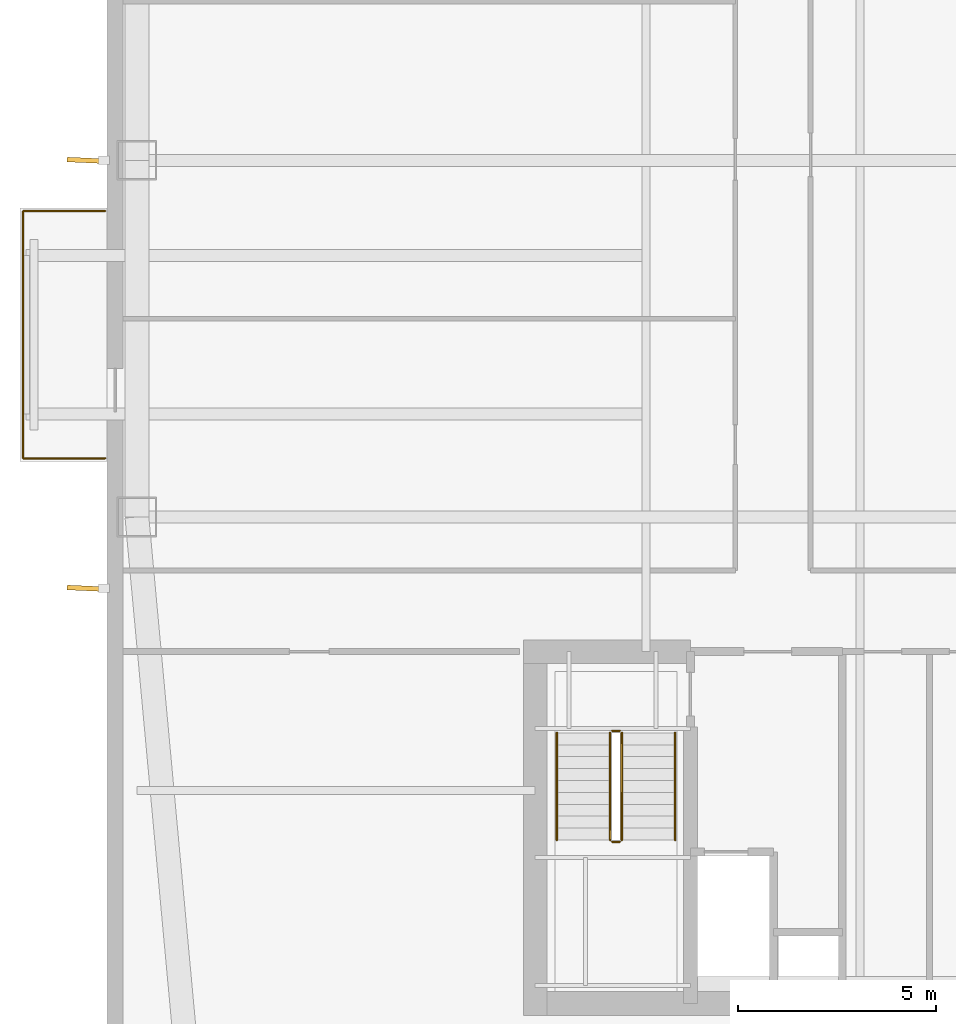
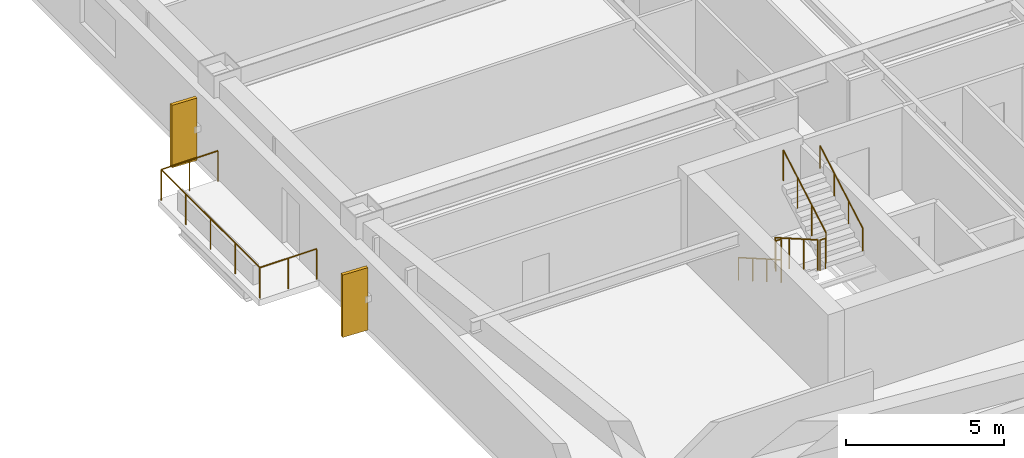
# One storey, part 13 of 17: 7 railings, 2 shading devices.
"""IFC4 building model written with IfcOpenShell, lengths in metres."""

from ifc_helpers import new_model, si_unit, direction, frame, origin, origin_2d, place, context, subcontext, project, spatial, rectangle, circle, extrude, material, layer, layer_set, type_object, element, save


model = new_model("IFC4")

# Units and contexts
model_context = context("Model", 3, precision=1e-05, world=origin(), true_north=direction((0.0, 1.0)))
body_context = subcontext(model_context, "Body", "Model", "MODEL_VIEW")
ifc_project = project(units=[si_unit("LENGTHUNIT", "METRE"), si_unit("AREAUNIT", "SQUARE_METRE"), si_unit("VOLUMEUNIT", "CUBIC_METRE"), si_unit("PLANEANGLEUNIT", "RADIAN"), si_unit("MASSUNIT", "GRAM", prefix="KILO")], contexts=[model_context])

# Site, building, storey
site_placement = place(None, origin())
site = spatial("IfcSite", under=ifc_project, at=site_placement, CompositionType="ELEMENT")
building_placement = place(site_placement, origin())
building = spatial("IfcBuilding", under=site, at=building_placement, Name="Qiaolan Cultural Towers", CompositionType="ELEMENT")
storey_placement = place(building_placement, frame((0.0, 0.0, 152.949951171875)))
storey = spatial("IfcBuildingStorey", under=building, at=storey_placement, Name="L40", CompositionType="ELEMENT", Elevation=152.949951171875)

# Railings
ifc_material_1 = material(Name="Laminated SentryGlas & Stainless Steel S31608 Balustrade", Category="steel")
railing_type_1 = type_object("IfcRailingType", Name="GRD-TERR-1200", PredefinedType="BALUSTRADE", material=ifc_material_1)
railing_1_placement = place(storey_placement, frame((10.949951171875, 26.47998046875, 0.0)))
element("IfcRailing", 1, at=railing_1_placement, inside=storey, type_object=railing_type_1, Name="L40 T1 Tree Balcony Guardrail W", PredefinedType="BALUSTRADE", context=body_context, shape_type="SweptSolid", body=[
    extrude(circle(Radius=0.02392578125, at=origin_2d()), frame((0.0, 0.0, 1.17578125), z_axis=(-1.0, 0.0, 0.0), x_axis=(0.0, -1.0, 0.0)), (0.0, 0.0, 1.0), 2.070068359375),
    extrude(circle(Radius=0.02392578125, at=origin_2d()), frame((-2.070068359375, 0.0, 1.17578125), z_axis=(0.0, 1.0, 0.0), x_axis=(-1.0, 0.0, 0.0)), (0.0, 0.0, 1.0), 6.239990234375),
    extrude(circle(Radius=0.02392578125, at=origin_2d()), frame((-2.070068359375, 6.239990234375, 1.17578125), z_axis=(1.0, 0.0, 0.0), x_axis=(0.0, 1.0, 0.0)), (0.0, 0.0, 1.0), 2.070068359375),
    extrude(circle(Radius=0.02099609375, at=origin_2d()), origin(), (0.0, 0.0, 1.0), 1.15185546875),
    extrude(circle(Radius=0.02099609375, at=origin_2d()), frame((-1.03515625, 0.0, 0.0)), (0.0, 0.0, 1.0), 1.15185546875),
    extrude(circle(Radius=0.02099609375, at=origin_2d()), frame((-2.070068359375, 0.0, 0.0)), (0.0, 0.0, 1.0), 1.15185546875),
    extrude(circle(Radius=0.02099609375, at=origin_2d()), frame((-2.070068359375, 1.56005859375, 0.0)), (0.0, 0.0, 1.0), 1.15185546875),
    extrude(circle(Radius=0.02099609375, at=origin_2d()), frame((-2.070068359375, 3.1201171875, 0.0)), (0.0, 0.0, 1.0), 1.15185546875),
    extrude(circle(Radius=0.02099609375, at=origin_2d()), frame((-2.070068359375, 4.679931640625, 0.0)), (0.0, 0.0, 1.0), 1.15185546875),
    extrude(circle(Radius=0.02099609375, at=origin_2d()), frame((-2.070068359375, 6.239990234375, 0.0)), (0.0, 0.0, 1.0), 1.15185546875),
    extrude(circle(Radius=0.02099609375, at=origin_2d()), frame((-1.03515625, 6.239990234375, 0.0)), (0.0, 0.0, 1.0), 1.15185546875),
    extrude(circle(Radius=0.02099609375, at=origin_2d()), frame((0.0, 6.239990234375, 0.0)), (0.0, 0.0, 1.0), 1.15185546875),
])
ifc_material_2 = material(Name="Galvanized Painted Steel Stair Guardrail", Category="steel")
railing_type_2 = type_object("IfcRailingType", Name="RL-STAIR-GRD", PredefinedType="GUARDRAIL", material=ifc_material_2)
railing_2_placement = place(storey_placement, frame((23.68994140625, 19.550048828125, 0.172607421875)))
element("IfcRailing", 2, at=railing_2_placement, inside=storey, type_object=railing_type_2, Name="L40 ST-W1 stair guard 1", PredefinedType="GUARDRAIL", context=body_context, shape_type="SweptSolid", body=[
    extrude(circle(Radius=0.02392578125, at=origin_2d()), frame((0.0, 0.0, 1.17578125), z_axis=(0.0, -0.866903762492, 0.498475542607), x_axis=(1.0, 0.0, 0.0)), (0.0, 0.0, 1.0), 3.114501953125),
    extrude(circle(Radius=0.02099609375, at=origin_2d()), origin(), (0.0, 0.0, 1.0), 1.15185546875),
    extrude(circle(Radius=0.02099609375, at=origin_2d()), frame((0.0, -0.89990234375, 0.517578125)), (0.0, 0.0, 1.0), 1.15185546875),
    extrude(circle(Radius=0.02099609375, at=origin_2d()), frame((0.0, -1.800048828125, 1.034912109375)), (0.0, 0.0, 1.0), 1.15185546875),
    extrude(circle(Radius=0.02099609375, at=origin_2d()), frame((0.0, -2.699951171875, 1.552490234375)), (0.0, 0.0, 1.0), 1.15185546875),
])
railing_3_placement = place(storey_placement, frame((23.739990234375, 16.800048828125, 1.72509765625)))
element("IfcRailing", 3, at=railing_3_placement, inside=storey, type_object=railing_type_2, Name="L40 ST-W1 stair guard 2", PredefinedType="GUARDRAIL", context=body_context, shape_type="SweptSolid", body=[
    extrude(circle(Radius=0.02392578125, at=origin_2d()), frame((0.0, 0.0, 1.17578125), z_axis=(1.0, 0.0, 0.0), x_axis=(0.0, 1.0, 0.0)), (0.0, 0.0, 1.0), 0.199951171875),
    extrude(circle(Radius=0.02099609375, at=origin_2d()), origin(), (0.0, 0.0, 1.0), 1.15185546875),
    extrude(circle(Radius=0.02099609375, at=origin_2d()), frame((0.199951171875, 0.0, 0.0)), (0.0, 0.0, 1.0), 1.15185546875),
])
railing_4_placement = place(storey_placement, frame((23.989990234375, 16.85009765625, 1.8974609375)))
element("IfcRailing", 4, at=railing_4_placement, inside=storey, type_object=railing_type_2, Name="L40 ST-W1 stair guard 3", PredefinedType="GUARDRAIL", context=body_context, shape_type="SweptSolid", body=[
    extrude(circle(Radius=0.02392578125, at=origin_2d()), frame((0.0, 0.0, 1.17578125), z_axis=(0.0, 0.866903762492, 0.498475542607), x_axis=(-1.0, 0.0, 0.0)), (0.0, 0.0, 1.0), 3.114501953125),
    extrude(circle(Radius=0.02099609375, at=origin_2d()), origin(), (0.0, 0.0, 1.0), 1.15185546875),
    extrude(circle(Radius=0.02099609375, at=origin_2d()), frame((0.0, 0.89990234375, 0.517578125)), (0.0, 0.0, 1.0), 1.15185546875),
    extrude(circle(Radius=0.02099609375, at=origin_2d()), frame((0.0, 1.800048828125, 1.034912109375)), (0.0, 0.0, 1.0), 1.15185546875),
    extrude(circle(Radius=0.02099609375, at=origin_2d()), frame((0.0, 2.699951171875, 1.552490234375)), (0.0, 0.0, 1.0), 1.15185546875),
])
railing_5_placement = place(storey_placement, frame((23.739990234375, 19.60009765625, 0.0)))
element("IfcRailing", 5, at=railing_5_placement, inside=storey, type_object=railing_type_2, Name="L40 ST-W1 stair guard 4", PredefinedType="GUARDRAIL", context=body_context, shape_type="SweptSolid", body=[
    extrude(circle(Radius=0.02392578125, at=origin_2d()), frame((0.0, 0.0, 1.17578125), z_axis=(1.0, 0.0, 0.0), x_axis=(0.0, 1.0, 0.0)), (0.0, 0.0, 1.0), 0.199951171875),
    extrude(circle(Radius=0.02099609375, at=origin_2d()), origin(), (0.0, 0.0, 1.0), 1.15185546875),
    extrude(circle(Radius=0.02099609375, at=origin_2d()), frame((0.199951171875, 0.0, 0.0)), (0.0, 0.0, 1.0), 1.15185546875),
])
ifc_material_3 = material(Name="Stainless Steel S30408 Tubular Handrail", Category="steel")
railing_type_3 = type_object("IfcRailingType", Name="RL-STAIR-HR", PredefinedType="HANDRAIL", material=ifc_material_3)
railing_6_placement = place(storey_placement, frame((22.35009765625, 19.550048828125, 0.172607421875)))
element("IfcRailing", 6, at=railing_6_placement, inside=storey, type_object=railing_type_3, Name="L40 ST-W1 stair handrail 1", PredefinedType="HANDRAIL", context=body_context, shape_type="SweptSolid", body=[
    extrude(circle(Radius=0.02392578125, at=origin_2d()), frame((0.0, 0.0, 0.8759765625), z_axis=(0.0, -0.866903762492, 0.498475542607), x_axis=(1.0, 0.0, 0.0)), (0.0, 0.0, 1.0), 3.114501953125),
    extrude(circle(Radius=0.02099609375, at=origin_2d()), origin(), (0.0, 0.0, 1.0), 0.851806640625),
    extrude(circle(Radius=0.02099609375, at=origin_2d()), frame((0.0, -0.89990234375, 0.517578125)), (0.0, 0.0, 1.0), 0.851806640625),
    extrude(circle(Radius=0.02099609375, at=origin_2d()), frame((0.0, -1.800048828125, 1.034912109375)), (0.0, 0.0, 1.0), 0.851806640625),
    extrude(circle(Radius=0.02099609375, at=origin_2d()), frame((0.0, -2.699951171875, 1.552490234375)), (0.0, 0.0, 1.0), 0.851806640625),
])
railing_7_placement = place(storey_placement, frame((25.330078125, 16.85009765625, 1.8974609375)))
element("IfcRailing", 7, at=railing_7_placement, inside=storey, type_object=railing_type_3, Name="L40 ST-W1 stair handrail 2", PredefinedType="HANDRAIL", context=body_context, shape_type="SweptSolid", body=[
    extrude(circle(Radius=0.02392578125, at=origin_2d()), frame((0.0, 0.0, 0.8759765625), z_axis=(0.0, 0.866903762492, 0.498475542607), x_axis=(-1.0, 0.0, 0.0)), (0.0, 0.0, 1.0), 3.114501953125),
    extrude(circle(Radius=0.02099609375, at=origin_2d()), origin(), (0.0, 0.0, 1.0), 0.851806640625),
    extrude(circle(Radius=0.02099609375, at=origin_2d()), frame((0.0, 0.89990234375, 0.517578125)), (0.0, 0.0, 1.0), 0.851806640625),
    extrude(circle(Radius=0.02099609375, at=origin_2d()), frame((0.0, 1.800048828125, 1.034912109375)), (0.0, 0.0, 1.0), 0.851806640625),
    extrude(circle(Radius=0.02099609375, at=origin_2d()), frame((0.0, 2.699951171875, 1.552490234375)), (0.0, 0.0, 1.0), 0.851806640625),
])

# Shading devices
ifc_material_4 = material(Name="Pierced Warm Terracotta Acoustic Fin", Category="masonry")
ifc_layer = layer(ifc_material_4, 0.1201171875)
ifc_layer_set = layer_set([ifc_layer], Name="Pierced Warm Terracotta Acoustic Fin")
shading_device_type = type_object("IfcShadingDeviceType", Name="SHD-FIN-PIERCED", PredefinedType="USERDEFINED", material=ifc_layer_set)
for number, where, z_axis, x_axis, name in (
    (8, (10.43994140625, 23.199951171875, 0.10009765625), (0.0, 0.0, 1.0), (0.998966827039, -0.045445335018, 0.0), "L40 T1 Expressive Precast Vertical Fin W1"),
    (9, (10.43994140625, 34.0, 0.10009765625), (0.0, 0.0, 1.0), (0.998966827039, -0.045445335018, 0.0), "L40 T1 Expressive Precast Vertical Fin W2"),
):
    element("IfcShadingDevice", number, at=place(storey_placement, frame(where, z_axis=z_axis, x_axis=x_axis)), inside=storey, type_object=shading_device_type, Name=name, ObjectType="FIN", PredefinedType="USERDEFINED", context=body_context, shape_type="SweptSolid", body=[
        extrude(rectangle(XDim=0.89990234375, YDim=0.1201171875, at=origin_2d()), origin(), (0.0, 0.0, 1.0), 2.409912109375),
    ])

save(model, "model.ifc")
